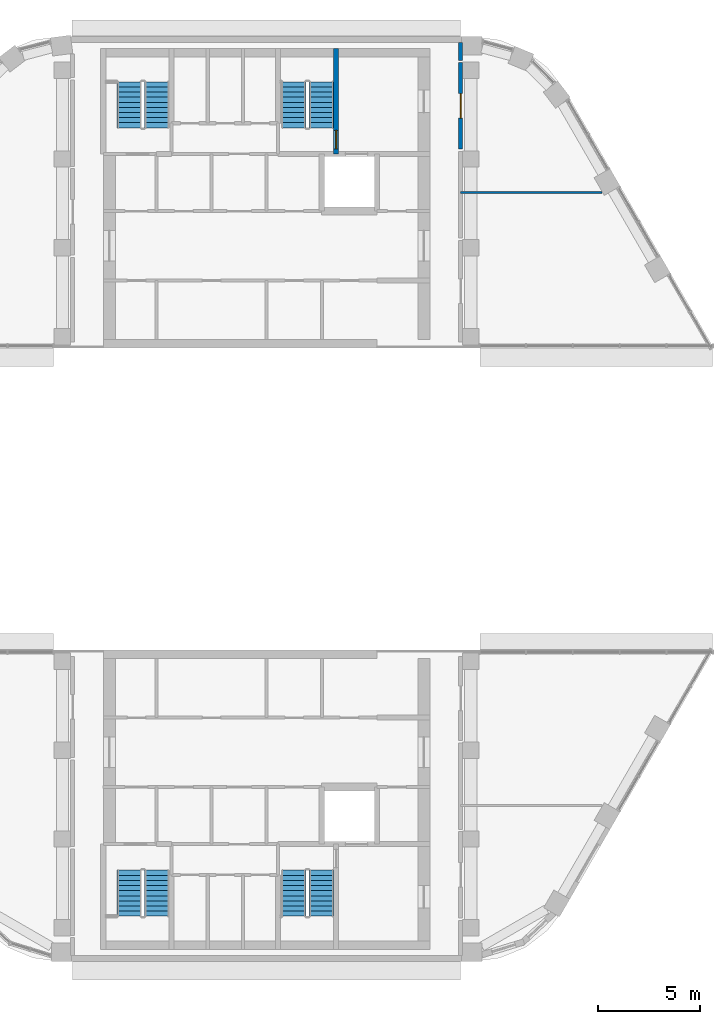
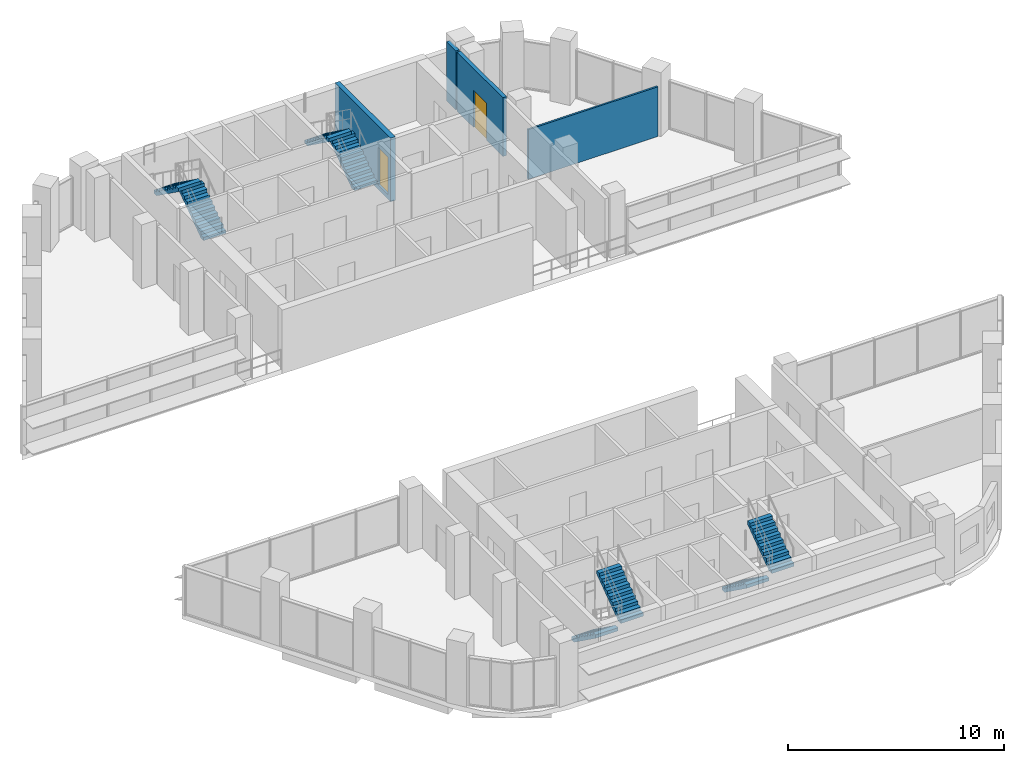
# One storey, part 11 of 14: 8 stair flights, 4 walls, 2 doors, 2 openings, 4 elements without a shape of their own.
"""IFC4 building model written with IfcOpenShell, lengths in metres."""

from ifc_helpers import new_model, si_unit, direction, frame, frame_2d, origin, place, context, subcontext, project, spatial, polyline, rectangle, outline, extrude, material, layer, layer_set, type_object, element, fill, aggregate, save


model = new_model("IFC4")

# Units and contexts
model_context = context("Model", 3, precision=1e-05, world=origin(), true_north=direction((0.0, 1.0)))
body_context = subcontext(model_context, "Body", "Model", "MODEL_VIEW")
ifc_project = project(units=[si_unit("LENGTHUNIT", "METRE"), si_unit("AREAUNIT", "SQUARE_METRE"), si_unit("VOLUMEUNIT", "CUBIC_METRE"), si_unit("PLANEANGLEUNIT", "RADIAN"), si_unit("MASSUNIT", "GRAM", prefix="KILO")], contexts=[model_context])

# Site, building, storey
site_placement = place(None, origin())
site = spatial("IfcSite", under=ifc_project, at=site_placement, CompositionType="ELEMENT")
building_placement = place(site_placement, origin())
building = spatial("IfcBuilding", under=site, at=building_placement, Name="Nakaniwa Court", CompositionType="ELEMENT")
storey_placement = place(building_placement, frame((0.0, 0.0, 279.60009765625)))
storey = spatial("IfcBuildingStorey", under=building, at=storey_placement, Name="C03", CompositionType="ELEMENT", Elevation=279.60009765625)

# Wall, opening, door
ifc_material_1 = material(Name="Acoustic double stud partition")
ifc_layer_1 = layer(ifc_material_1, 0.199951171875)
ifc_layer_set_1 = layer_set([ifc_layer_1], Name="Acoustic double stud partition")
wall_type_1 = type_object("IfcWallType", Name="Acoustic double stud partition 200", PredefinedType="PARTITIONING", material=ifc_layer_set_1)
wall_1_placement = place(storey_placement, frame((89.5, 101.363037109375, 0.0), z_axis=(0.0, 0.0, 1.0), x_axis=(0.0, -1.0, 0.0)))
wall_1 = element("IfcWall", 1, at=wall_1_placement, inside=storey, type_object=wall_type_1, Name="Partition PW-061", PredefinedType="PARTITIONING", context=body_context, shape_type="SweptSolid", body=[
    extrude(rectangle(XDim=4.236083984375, YDim=0.199951171875, at=frame_2d((2.1181640625, 0.0))), origin(), (0.0, 0.0, 1.0), 3.324951171875),
])
opening_1_placement = place(wall_1_placement, frame((1.51806640625, 0.0, 0.0)))
opening_1 = element("IfcOpeningElement", 2, at=opening_1_placement, cuts=wall_1, Name="Opening D-30-04", PredefinedType="OPENING", context=body_context, shape_type="SweptSolid", body=[
    extrude(rectangle(XDim=1.199951171875, YDim=2.10009765625, at=frame_2d((0.60009765625, 1.050048828125))), frame((0.0, 0.10986328125, 0.0), z_axis=(0.0, -1.0, 0.0), x_axis=(1.0, 0.0, 0.0)), (0.0, 0.0, 1.0), 0.219970703125),
])
ifc_material_2 = material(Name="Solid core timber door set, black veneer", Category="wood")
door_type_1 = type_object("IfcDoorType", Name="Internal door 1200", OperationType="NOTDEFINED", PredefinedType="DOOR", material=ifc_material_2)
door_1_placement = place(opening_1_placement, origin())
door_1 = element("IfcDoor", 3, at=door_1_placement, inside=storey, type_object=door_type_1, Name="Door D-30-04 C03-034", OperationType="SINGLE_SWING_LEFT", OverallHeight=2.10009765625, OverallWidth=1.199951171875, PredefinedType="DOOR", context=body_context, shape_type="SweptSolid", body=[
    extrude(rectangle(XDim=1.199951171875, YDim=2.10009765625, at=frame_2d((0.60009765625, 1.050048828125))), frame((0.0, 0.02490234375, 0.0), z_axis=(0.0, -1.0, 0.0), x_axis=(1.0, 0.0, 0.0)), (0.0, 0.0, 1.0), 0.050048828125),
])
fill(opening_1, door_1)

# Wall
wall_2_placement = place(storey_placement, frame((89.5, 101.47705078125, 0.0), z_axis=(0.0, 0.0, 1.0), x_axis=(0.0, 1.0, 0.0)))
element("IfcWall", 4, at=wall_2_placement, inside=storey, type_object=wall_type_1, Name="Partition PW-062", PredefinedType="PARTITIONING", context=body_context, shape_type="SweptSolid", body=[
    extrude(rectangle(XDim=0.873046875, YDim=0.199951171875, at=frame_2d((0.4365234375, 0.0))), origin(), (0.0, 0.0, 1.0), 3.324951171875),
])

# Wall, opening, door
ifc_material_3 = material(Name="Concrete C80/100", Category="concrete")
ifc_layer_2 = layer(ifc_material_3, 0.25)
ifc_layer_set_2 = layer_set([ifc_layer_2], Name="Concrete C80/100")
wall_type_2 = type_object("IfcWallType", Name="Concrete shaft wall 250 C80", PredefinedType="SHEAR", material=ifc_layer_set_2)
wall_3_placement = place(storey_placement, frame((83.39990234375, 102.050048828125, -0.275146484375), z_axis=(0.0, 0.0, 1.0), x_axis=(0.0, -1.0, 0.0)))
wall_3 = element("IfcWall", 5, at=wall_3_placement, inside=storey, type_object=wall_type_2, Name="Core wall SW-22", PredefinedType="SHEAR", context=body_context, shape_type="SweptSolid", body=[
    extrude(rectangle(XDim=5.150146484375, YDim=0.25, at=frame_2d((2.5751953125, 0.0))), origin(), (0.0, 0.0, 1.0), 3.60009765625),
])
opening_2_placement = place(wall_3_placement, frame((4.0, 0.0, 0.27490234375)))
opening_2 = element("IfcOpeningElement", 6, at=opening_2_placement, cuts=wall_3, Name="Opening D-11-01", PredefinedType="OPENING", context=body_context, shape_type="SweptSolid", body=[
    extrude(rectangle(XDim=0.89990234375, YDim=2.10009765625, at=frame_2d((0.449951171875, 1.050048828125))), frame((0.0, 0.135009765625, 0.0), z_axis=(0.0, -1.0, 0.0), x_axis=(1.0, 0.0, 0.0)), (0.0, 0.0, 1.0), 0.27001953125),
])
ifc_material_4 = material(Name="Fire rated steel door set", Category="steel")
door_type_2 = type_object("IfcDoorType", Name="Stair door 900", OperationType="NOTDEFINED", PredefinedType="DOOR", material=ifc_material_4)
door_2_placement = place(opening_2_placement, origin())
door_2 = element("IfcDoor", 7, at=door_2_placement, inside=storey, type_object=door_type_2, Name="Door D-11-01 C03-015", OperationType="SINGLE_SWING_LEFT", OverallHeight=2.10009765625, OverallWidth=0.89990234375, PredefinedType="DOOR", context=body_context, shape_type="SweptSolid", body=[
    extrude(rectangle(XDim=0.89990234375, YDim=2.10009765625, at=frame_2d((0.449951171875, 1.050048828125))), frame((0.0, 0.02490234375, 0.0), z_axis=(0.0, -1.0, 0.0), x_axis=(1.0, 0.0, 0.0)), (0.0, 0.0, 1.0), 0.050048828125),
])
fill(opening_2, door_2)

# Wall
ifc_material_5 = material(Name="Single stud plasterboard partition")
ifc_layer_3 = layer(ifc_material_5, 0.10009765625)
ifc_layer_set_3 = layer_set([ifc_layer_3], Name="Single stud plasterboard partition")
wall_type_3 = type_object("IfcWallType", Name="Single stud plasterboard partition 100", PredefinedType="PARTITIONING", material=ifc_layer_set_3)
wall_4_placement = place(storey_placement, frame((89.5, 95.0, 0.0), z_axis=(0.0, 0.0, 1.0), x_axis=(1.0, 0.0, 0.0)))
element("IfcWall", 8, at=wall_4_placement, inside=storey, type_object=wall_type_3, Name="Partition PW-064", PredefinedType="PARTITIONING", context=body_context, shape_type="SweptSolid", body=[
    extrude(rectangle(XDim=6.931396484375, YDim=0.10009765625, at=frame_2d((3.4658203125, 0.0))), origin(), (0.0, 0.0, 1.0), 2.804931640625),
])

# Stair, stair flights
stair_type = type_object("IfcStairType", Name="Dog leg stair 1200 wide 20 risers", PredefinedType="HALF_TURN_STAIR", material=ifc_material_3)
stair_1_placement = place(storey_placement, origin())
stair_1 = element("IfcStair", 9, at=stair_1_placement, inside=storey, type_object=stair_type, Name="C03 Stair ST1", PredefinedType="HALF_TURN_STAIR")
stair_flight_type = type_object("IfcStairFlightType", Name="Stair flight 1200 wide 10 risers", PredefinedType="STRAIGHT", material=ifc_material_3)
stair_flight_1_placement = place(storey_placement, frame((74.625, 98.175048828125, 0.0), z_axis=(0.0, 0.0, 1.0), x_axis=(0.0, 1.0, 0.0)))
stair_flight_1 = element("IfcStairFlight", 10, at=stair_flight_1_placement, type_object=stair_flight_type, Name="ST1 flight 1", NumberOfRisers=10, NumberOfTreads=9, PredefinedType="STRAIGHT", RiserHeight=0.18, TreadLength=0.25, context=body_context, shape_type="SweptSolid", body=[
    extrude(outline(polyline([(0.0, 0.0), (0.0, 0.025634765625), (0.0, 0.051513671875), (0.0, 0.0771484375), (0.0, 0.102783203125), (0.0, 0.128662109375), (0.0, 0.154296875), (0.0, 0.179931640625), (0.25, 0.179931640625), (0.25, 0.360107421875), (0.5, 0.360107421875), (0.5, 0.5400390625), (0.75, 0.5400390625), (0.75, 0.719970703125), (1.0, 0.719970703125), (1.0, 0.89990234375), (1.25, 0.89990234375), (1.25, 1.080078125), (1.5, 1.080078125), (1.5, 1.260009765625), (1.75, 1.260009765625), (1.75, 1.43994140625), (2.0, 1.43994140625), (2.0, 1.6201171875), (2.25, 1.6201171875), (2.25, 1.800048828125), (2.25, 1.747802734375), (2.25, 1.69580078125), (2.25, 1.643798828125), (2.25, 1.591552734375), (2.25, 1.53955078125), (2.25, 1.4873046875), (2.25, 1.435302734375), (0.256591796875, 0.0), (0.0, 0.0)])), frame((0.0, 0.60009765625, 0.0), z_axis=(0.0, -1.0, 0.0), x_axis=(1.0, 0.0, 0.0)), (0.0, 0.0, 1.0), 1.199951171875),
])
stair_flight_2_placement = place(storey_placement, frame((73.27490234375, 100.425048828125, 1.7998046875), z_axis=(0.0, 0.0, 1.0), x_axis=(0.0, -1.0, 0.0)))
stair_flight_2 = element("IfcStairFlight", 11, at=stair_flight_2_placement, type_object=stair_flight_type, Name="ST1 flight 2", NumberOfRisers=10, NumberOfTreads=9, PredefinedType="STRAIGHT", RiserHeight=0.18, TreadLength=0.25, context=body_context, shape_type="SweptSolid", body=[
    extrude(outline(polyline([(0.0, 0.0), (0.0, 0.025634765625), (0.0, 0.051513671875), (0.0, 0.0771484375), (0.0, 0.102783203125), (0.0, 0.128662109375), (0.0, 0.154296875), (0.0, 0.179931640625), (0.25, 0.179931640625), (0.25, 0.360107421875), (0.5, 0.360107421875), (0.5, 0.5400390625), (0.75, 0.5400390625), (0.75, 0.719970703125), (1.0, 0.719970703125), (1.0, 0.89990234375), (1.25, 0.89990234375), (1.25, 1.080078125), (1.5, 1.080078125), (1.5, 1.260009765625), (1.75, 1.260009765625), (1.75, 1.43994140625), (2.0, 1.43994140625), (2.0, 1.6201171875), (2.25, 1.6201171875), (2.25, 1.800048828125), (2.25, 1.747802734375), (2.25, 1.69580078125), (2.25, 1.643798828125), (2.25, 1.591552734375), (2.25, 1.53955078125), (2.25, 1.4873046875), (2.25, 1.435302734375), (0.256591796875, 0.0), (0.0, 0.0)])), frame((0.0, 0.60009765625, 0.0), z_axis=(0.0, -1.0, 0.0), x_axis=(1.0, 0.0, 0.0)), (0.0, 0.0, 1.0), 1.199951171875),
])
aggregate(stair_1, [stair_flight_1, stair_flight_2])

stair_2_placement = place(storey_placement, origin())
stair_2 = element("IfcStair", 12, at=stair_2_placement, inside=storey, type_object=stair_type, Name="C03 Stair ST2", PredefinedType="HALF_TURN_STAIR")
stair_flight_3_placement = place(storey_placement, frame((82.675048828125, 98.175048828125, 0.0), z_axis=(0.0, 0.0, 1.0), x_axis=(0.0, 1.0, 0.0)))
stair_flight_3 = element("IfcStairFlight", 13, at=stair_flight_3_placement, type_object=stair_flight_type, Name="ST2 flight 1", NumberOfRisers=10, NumberOfTreads=9, PredefinedType="STRAIGHT", RiserHeight=0.18, TreadLength=0.25, context=body_context, shape_type="SweptSolid", body=[
    extrude(outline(polyline([(0.0, 0.0), (0.0, 0.025634765625), (0.0, 0.051513671875), (0.0, 0.0771484375), (0.0, 0.102783203125), (0.0, 0.128662109375), (0.0, 0.154296875), (0.0, 0.179931640625), (0.25, 0.179931640625), (0.25, 0.360107421875), (0.5, 0.360107421875), (0.5, 0.5400390625), (0.75, 0.5400390625), (0.75, 0.719970703125), (1.0, 0.719970703125), (1.0, 0.89990234375), (1.25, 0.89990234375), (1.25, 1.080078125), (1.5, 1.080078125), (1.5, 1.260009765625), (1.75, 1.260009765625), (1.75, 1.43994140625), (2.0, 1.43994140625), (2.0, 1.6201171875), (2.25, 1.6201171875), (2.25, 1.800048828125), (2.25, 1.747802734375), (2.25, 1.69580078125), (2.25, 1.643798828125), (2.25, 1.591552734375), (2.25, 1.53955078125), (2.25, 1.4873046875), (2.25, 1.435302734375), (0.256591796875, 0.0), (0.0, 0.0)])), frame((0.0, 0.60009765625, 0.0), z_axis=(0.0, -1.0, 0.0), x_axis=(1.0, 0.0, 0.0)), (0.0, 0.0, 1.0), 1.199951171875),
])
stair_flight_4_placement = place(storey_placement, frame((81.324951171875, 100.425048828125, 1.7998046875), z_axis=(0.0, 0.0, 1.0), x_axis=(0.0, -1.0, 0.0)))
stair_flight_4 = element("IfcStairFlight", 14, at=stair_flight_4_placement, type_object=stair_flight_type, Name="ST2 flight 2", NumberOfRisers=10, NumberOfTreads=9, PredefinedType="STRAIGHT", RiserHeight=0.18, TreadLength=0.25, context=body_context, shape_type="SweptSolid", body=[
    extrude(outline(polyline([(0.0, 0.0), (0.0, 0.025634765625), (0.0, 0.051513671875), (0.0, 0.0771484375), (0.0, 0.102783203125), (0.0, 0.128662109375), (0.0, 0.154296875), (0.0, 0.179931640625), (0.25, 0.179931640625), (0.25, 0.360107421875), (0.5, 0.360107421875), (0.5, 0.5400390625), (0.75, 0.5400390625), (0.75, 0.719970703125), (1.0, 0.719970703125), (1.0, 0.89990234375), (1.25, 0.89990234375), (1.25, 1.080078125), (1.5, 1.080078125), (1.5, 1.260009765625), (1.75, 1.260009765625), (1.75, 1.43994140625), (2.0, 1.43994140625), (2.0, 1.6201171875), (2.25, 1.6201171875), (2.25, 1.800048828125), (2.25, 1.747802734375), (2.25, 1.69580078125), (2.25, 1.643798828125), (2.25, 1.591552734375), (2.25, 1.53955078125), (2.25, 1.4873046875), (2.25, 1.435302734375), (0.256591796875, 0.0), (0.0, 0.0)])), frame((0.0, 0.60009765625, 0.0), z_axis=(0.0, -1.0, 0.0), x_axis=(1.0, 0.0, 0.0)), (0.0, 0.0, 1.0), 1.199951171875),
])
aggregate(stair_2, [stair_flight_3, stair_flight_4])

stair_3_placement = place(storey_placement, origin())
stair_3 = element("IfcStair", 15, at=stair_3_placement, inside=storey, type_object=stair_type, Name="C03 Stair ST3", PredefinedType="HALF_TURN_STAIR")
stair_flight_5_placement = place(storey_placement, frame((73.27490234375, 61.824951171875, 0.0), z_axis=(0.0, 0.0, 1.0), x_axis=(0.0, -1.0, 0.0)))
stair_flight_5 = element("IfcStairFlight", 16, at=stair_flight_5_placement, type_object=stair_flight_type, Name="ST3 flight 1", NumberOfRisers=10, NumberOfTreads=9, PredefinedType="STRAIGHT", RiserHeight=0.18, TreadLength=0.25, context=body_context, shape_type="SweptSolid", body=[
    extrude(outline(polyline([(0.0, 0.0), (0.0, 0.025634765625), (0.0, 0.051513671875), (0.0, 0.0771484375), (0.0, 0.102783203125), (0.0, 0.128662109375), (0.0, 0.154296875), (0.0, 0.179931640625), (0.25, 0.179931640625), (0.25, 0.360107421875), (0.5, 0.360107421875), (0.5, 0.5400390625), (0.75, 0.5400390625), (0.75, 0.719970703125), (1.0, 0.719970703125), (1.0, 0.89990234375), (1.25, 0.89990234375), (1.25, 1.080078125), (1.5, 1.080078125), (1.5, 1.260009765625), (1.75, 1.260009765625), (1.75, 1.43994140625), (2.0, 1.43994140625), (2.0, 1.6201171875), (2.25, 1.6201171875), (2.25, 1.800048828125), (2.25, 1.747802734375), (2.25, 1.69580078125), (2.25, 1.643798828125), (2.25, 1.591552734375), (2.25, 1.53955078125), (2.25, 1.4873046875), (2.25, 1.435302734375), (0.256591796875, 0.0), (0.0, 0.0)])), frame((0.0, 0.60009765625, 0.0), z_axis=(0.0, -1.0, 0.0), x_axis=(1.0, 0.0, 0.0)), (0.0, 0.0, 1.0), 1.199951171875),
])
stair_flight_6_placement = place(storey_placement, frame((74.625, 59.574951171875, 1.7998046875), z_axis=(0.0, 0.0, 1.0), x_axis=(0.0, 1.0, 0.0)))
stair_flight_6 = element("IfcStairFlight", 17, at=stair_flight_6_placement, type_object=stair_flight_type, Name="ST3 flight 2", NumberOfRisers=10, NumberOfTreads=9, PredefinedType="STRAIGHT", RiserHeight=0.18, TreadLength=0.25, context=body_context, shape_type="SweptSolid", body=[
    extrude(outline(polyline([(0.0, 0.0), (0.0, 0.025634765625), (0.0, 0.051513671875), (0.0, 0.0771484375), (0.0, 0.102783203125), (0.0, 0.128662109375), (0.0, 0.154296875), (0.0, 0.179931640625), (0.25, 0.179931640625), (0.25, 0.360107421875), (0.5, 0.360107421875), (0.5, 0.5400390625), (0.75, 0.5400390625), (0.75, 0.719970703125), (1.0, 0.719970703125), (1.0, 0.89990234375), (1.25, 0.89990234375), (1.25, 1.080078125), (1.5, 1.080078125), (1.5, 1.260009765625), (1.75, 1.260009765625), (1.75, 1.43994140625), (2.0, 1.43994140625), (2.0, 1.6201171875), (2.25, 1.6201171875), (2.25, 1.800048828125), (2.25, 1.747802734375), (2.25, 1.69580078125), (2.25, 1.643798828125), (2.25, 1.591552734375), (2.25, 1.53955078125), (2.25, 1.4873046875), (2.25, 1.435302734375), (0.256591796875, 0.0), (0.0, 0.0)])), frame((0.0, 0.60009765625, 0.0), z_axis=(0.0, -1.0, 0.0), x_axis=(1.0, 0.0, 0.0)), (0.0, 0.0, 1.0), 1.199951171875),
])
aggregate(stair_3, [stair_flight_5, stair_flight_6])

stair_4_placement = place(storey_placement, origin())
stair_4 = element("IfcStair", 18, at=stair_4_placement, inside=storey, type_object=stair_type, Name="C03 Stair ST4", PredefinedType="HALF_TURN_STAIR")
stair_flight_7_placement = place(storey_placement, frame((81.324951171875, 61.824951171875, 0.0), z_axis=(0.0, 0.0, 1.0), x_axis=(0.0, -1.0, 0.0)))
stair_flight_7 = element("IfcStairFlight", 19, at=stair_flight_7_placement, type_object=stair_flight_type, Name="ST4 flight 1", NumberOfRisers=10, NumberOfTreads=9, PredefinedType="STRAIGHT", RiserHeight=0.18, TreadLength=0.25, context=body_context, shape_type="SweptSolid", body=[
    extrude(outline(polyline([(0.0, 0.0), (0.0, 0.025634765625), (0.0, 0.051513671875), (0.0, 0.0771484375), (0.0, 0.102783203125), (0.0, 0.128662109375), (0.0, 0.154296875), (0.0, 0.179931640625), (0.25, 0.179931640625), (0.25, 0.360107421875), (0.5, 0.360107421875), (0.5, 0.5400390625), (0.75, 0.5400390625), (0.75, 0.719970703125), (1.0, 0.719970703125), (1.0, 0.89990234375), (1.25, 0.89990234375), (1.25, 1.080078125), (1.5, 1.080078125), (1.5, 1.260009765625), (1.75, 1.260009765625), (1.75, 1.43994140625), (2.0, 1.43994140625), (2.0, 1.6201171875), (2.25, 1.6201171875), (2.25, 1.800048828125), (2.25, 1.747802734375), (2.25, 1.69580078125), (2.25, 1.643798828125), (2.25, 1.591552734375), (2.25, 1.53955078125), (2.25, 1.4873046875), (2.25, 1.435302734375), (0.256591796875, 0.0), (0.0, 0.0)])), frame((0.0, 0.60009765625, 0.0), z_axis=(0.0, -1.0, 0.0), x_axis=(1.0, 0.0, 0.0)), (0.0, 0.0, 1.0), 1.199951171875),
])
stair_flight_8_placement = place(storey_placement, frame((82.675048828125, 59.574951171875, 1.7998046875), z_axis=(0.0, 0.0, 1.0), x_axis=(0.0, 1.0, 0.0)))
stair_flight_8 = element("IfcStairFlight", 20, at=stair_flight_8_placement, type_object=stair_flight_type, Name="ST4 flight 2", NumberOfRisers=10, NumberOfTreads=9, PredefinedType="STRAIGHT", RiserHeight=0.18, TreadLength=0.25, context=body_context, shape_type="SweptSolid", body=[
    extrude(outline(polyline([(0.0, 0.0), (0.0, 0.025634765625), (0.0, 0.051513671875), (0.0, 0.0771484375), (0.0, 0.102783203125), (0.0, 0.128662109375), (0.0, 0.154296875), (0.0, 0.179931640625), (0.25, 0.179931640625), (0.25, 0.360107421875), (0.5, 0.360107421875), (0.5, 0.5400390625), (0.75, 0.5400390625), (0.75, 0.719970703125), (1.0, 0.719970703125), (1.0, 0.89990234375), (1.25, 0.89990234375), (1.25, 1.080078125), (1.5, 1.080078125), (1.5, 1.260009765625), (1.75, 1.260009765625), (1.75, 1.43994140625), (2.0, 1.43994140625), (2.0, 1.6201171875), (2.25, 1.6201171875), (2.25, 1.800048828125), (2.25, 1.747802734375), (2.25, 1.69580078125), (2.25, 1.643798828125), (2.25, 1.591552734375), (2.25, 1.53955078125), (2.25, 1.4873046875), (2.25, 1.435302734375), (0.256591796875, 0.0), (0.0, 0.0)])), frame((0.0, 0.60009765625, 0.0), z_axis=(0.0, -1.0, 0.0), x_axis=(1.0, 0.0, 0.0)), (0.0, 0.0, 1.0), 1.199951171875),
])
aggregate(stair_4, [stair_flight_7, stair_flight_8])

save(model, "model.ifc")
